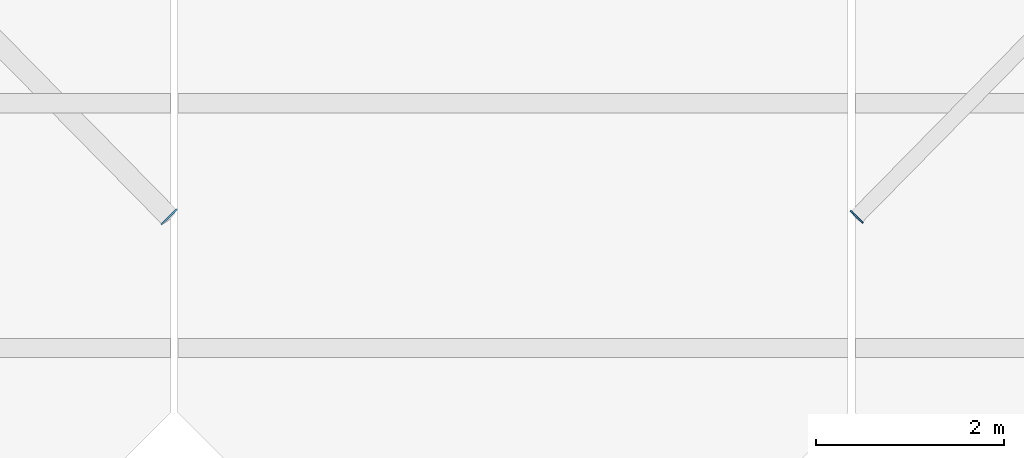
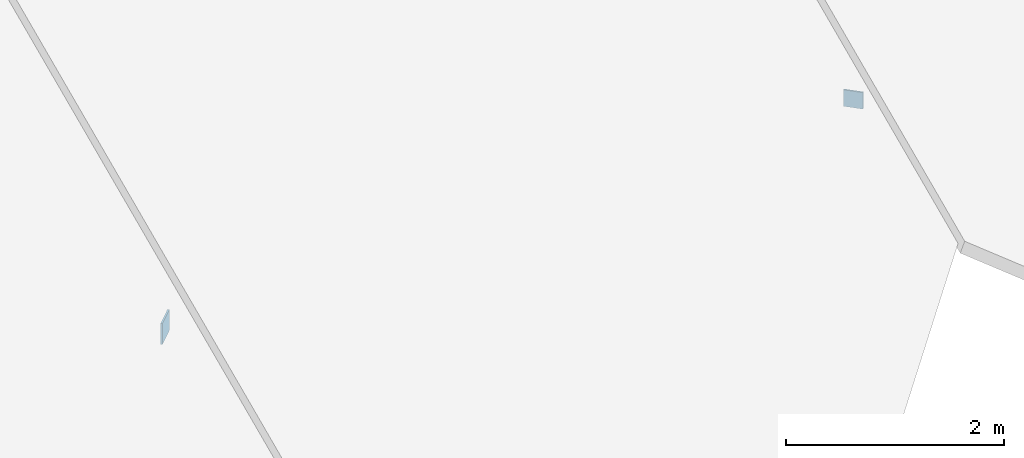
# One storey, part 33 of 54: 2 plates.
"""IFC4 building model written with IfcOpenShell, lengths in metres."""

from ifc_helpers import new_model, si_unit, direction, frame, origin, origin_2d, place, context, subcontext, project, spatial, rectangle, extrude, material, layer, layer_set, type_object, element, save


model = new_model("IFC4")

# Units and contexts
model_context = context("Model", 3, precision=1e-05, world=origin(), true_north=direction((0.0, 1.0)))
body_context = subcontext(model_context, "Body", "Model", "MODEL_VIEW")
ifc_project = project(units=[si_unit("LENGTHUNIT", "METRE"), si_unit("AREAUNIT", "SQUARE_METRE"), si_unit("VOLUMEUNIT", "CUBIC_METRE"), si_unit("PLANEANGLEUNIT", "RADIAN"), si_unit("MASSUNIT", "GRAM", prefix="KILO")], contexts=[model_context])

# Site, building, storey
site_placement = place(None, origin())
site = spatial("IfcSite", under=ifc_project, at=site_placement, CompositionType="ELEMENT")
building_placement = place(site_placement, origin())
building = spatial("IfcBuilding", under=site, at=building_placement, Name="Koriwan Promenade Central Fire Station", CompositionType="ELEMENT")
storey_placement = place(building_placement, frame((0.0, 0.0, 9.60009765625)))
storey = spatial("IfcBuildingStorey", under=building, at=storey_placement, Name="L02", CompositionType="ELEMENT", Elevation=9.60009765625)

# Plates
ifc_material = material(Name="Steel ASTM A572 Grade 50", Category="steel")
ifc_layer_1 = layer(ifc_material, 0.01611328125, Name="Steel ASTM A572 Grade 50")
ifc_layer_set_1 = layer_set([ifc_layer_1], Name="Steel ASTM A572 Grade 50")
plate_type_1 = type_object("IfcPlateType", Name="EndCap_CHS168", PredefinedType="SHEET", material=ifc_layer_set_1)
plate_1_placement = place(storey_placement, frame((93.65478515625, 46.794677734375, 0.885009765625), z_axis=(0.0, 0.0, 1.0), x_axis=(0.701158192968, 0.713005742217, 0.0)))
element("IfcPlate", 1, at=plate_1_placement, inside=storey, type_object=plate_type_1, Name="V1 roof wind brace 6A south half end cap 1", PredefinedType="SHEET", context=body_context, shape_type="SweptSolid", body=[
    extrude(rectangle(XDim=0.01611328125, YDim=0.18505859375, at=origin_2d()), origin(), (0.0, 0.0, 1.0), 0.18505859375),
])
ifc_layer_2 = layer(ifc_material, 0.01806640625, Name="Steel ASTM A572 Grade 50")
ifc_layer_set_2 = layer_set([ifc_layer_2], Name="Steel ASTM A572 Grade 50")
plate_type_2 = type_object("IfcPlateType", Name="EndCap_CHS219", PredefinedType="SHEET", material=ifc_layer_set_2)
plate_2_placement = place(storey_placement, frame((86.345947265625, 46.7939453125, 0.85986328125), z_axis=(0.0, 0.0, 1.0), x_axis=(0.701158192968, -0.713005742217, 0.0)))
element("IfcPlate", 2, at=plate_2_placement, inside=storey, type_object=plate_type_2, Name="V1 roof wind brace 4B end cap 2", PredefinedType="SHEET", context=body_context, shape_type="SweptSolid", body=[
    extrude(rectangle(XDim=0.01806640625, YDim=0.235107421875, at=origin_2d()), origin(), (0.0, 0.0, 1.0), 0.235107421875),
])

save(model, "model.ifc")
